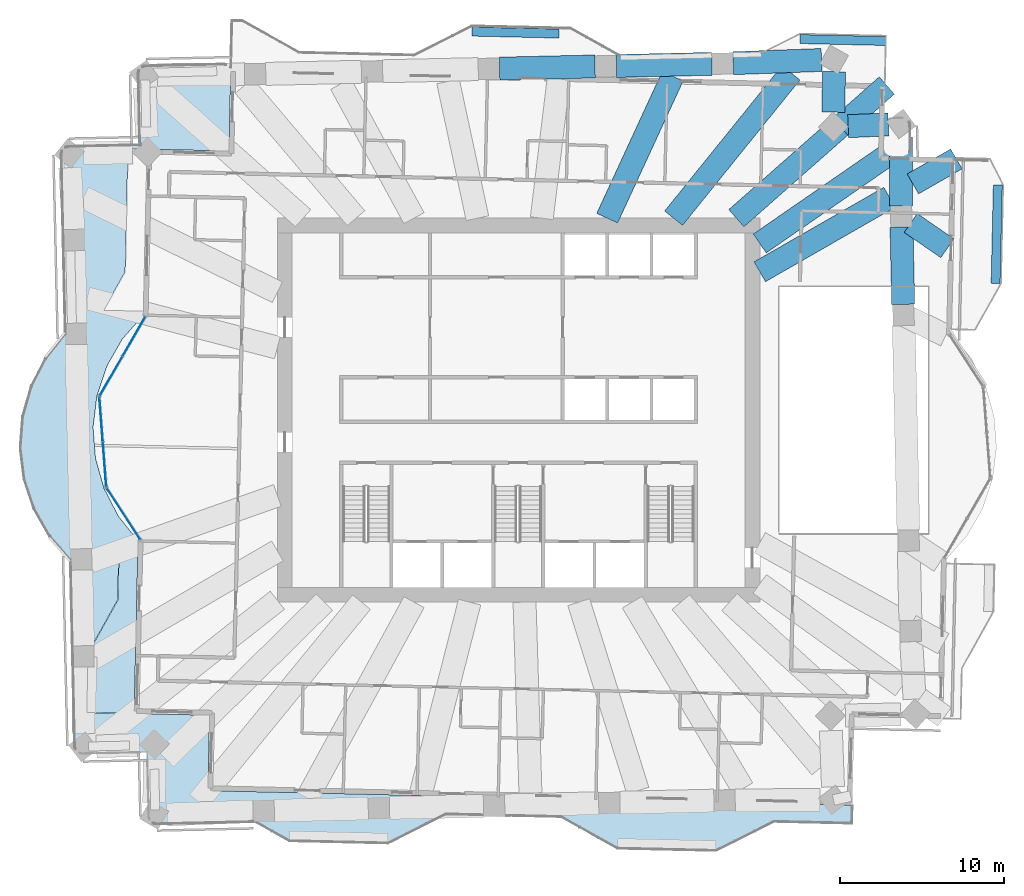
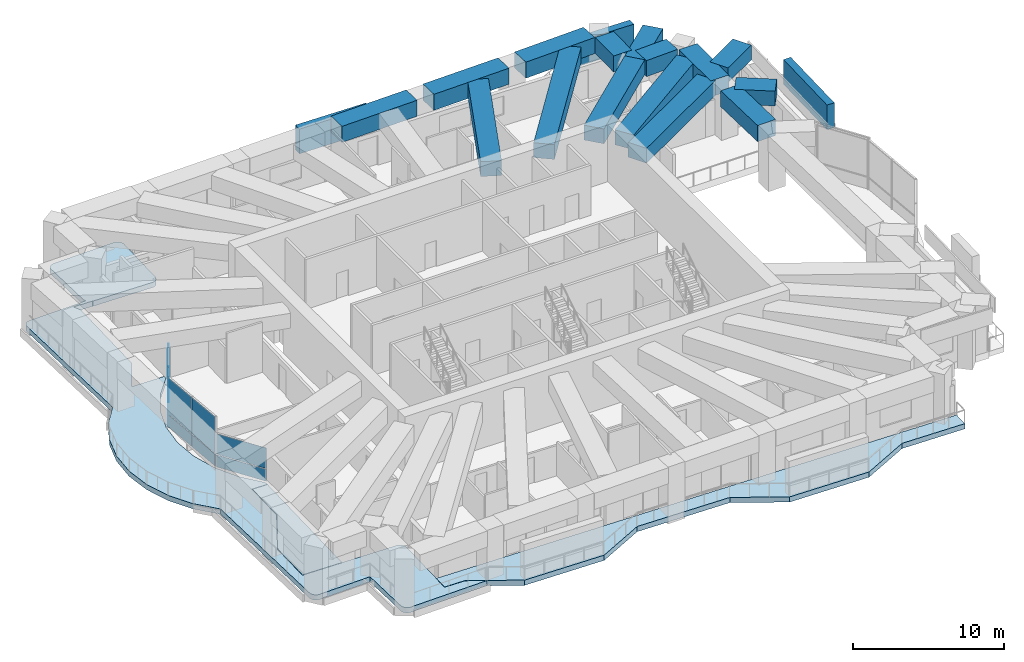
# One storey, part 6 of 17: 15 beams, 10 plates, 3 members, 3 slabs, 3 elements without a shape of their own.
"""IFC4 building model written with IfcOpenShell, lengths in metres."""

from ifc_helpers import new_model, si_unit, direction, frame, origin, origin_2d, place, context, subcontext, project, spatial, polyline, rectangle, outline, extrude, material, layer, layer_set, material_profile, profile_set, type_object, element, aggregate, save


model = new_model("IFC4")

# Units and contexts
model_context = context("Model", 3, precision=1e-05, world=origin(), true_north=direction((0.0, 1.0)))
body_context = subcontext(model_context, "Body", "Model", "MODEL_VIEW")
ifc_project = project(units=[si_unit("LENGTHUNIT", "METRE"), si_unit("AREAUNIT", "SQUARE_METRE"), si_unit("VOLUMEUNIT", "CUBIC_METRE"), si_unit("PLANEANGLEUNIT", "RADIAN"), si_unit("MASSUNIT", "GRAM", prefix="KILO")], contexts=[model_context])

# Site, building, storey
site_placement = place(None, origin())
site = spatial("IfcSite", under=ifc_project, at=site_placement, CompositionType="ELEMENT")
building_placement = place(site_placement, origin())
building = spatial("IfcBuilding", under=site, at=building_placement, Name="Mangrove Gate Tower", CompositionType="ELEMENT")
storey_placement = place(building_placement, frame((0.0, 0.0, 148.10009765625)))
storey = spatial("IfcBuildingStorey", under=building, at=storey_placement, Name="L37", CompositionType="ELEMENT", Elevation=148.10009765625)

# Members
ifc_material_1 = material(Name="Planting on aluminium trellis", Category="aluminium")
ifc_material_profile_1 = material_profile(ifc_material_1, rectangle(XDim=0.550048828125, YDim=2.0, at=origin_2d()))
ifc_profile_set_1 = profile_set([ifc_material_profile_1], Name="Planting on aluminium trellis")
member_type = type_object("IfcMemberType", Name="Balcony greenery screen 550x2000", PredefinedType="USERDEFINED", material=ifc_profile_set_1)
member_1_placement = place(storey_placement, frame((29.074951171875, 7.72900390625, 1.7998046875), z_axis=(0.022665943652, 0.999743094499, 0.0), x_axis=(-0.999743094499, 0.022665943652, 0.0)))
element("IfcMember", 1, at=member_1_placement, inside=storey, type_object=member_type, Name="GREEN SCREEN L37 E1.1", ObjectType="PLANTING", PredefinedType="USERDEFINED", context=body_context, shape_type="SweptSolid", body=[
    extrude(rectangle(XDim=0.550048828125, YDim=2.0, at=origin_2d()), origin(), (0.0, 0.0, 1.0), 5.99951171875),
])
member_2_placement = place(storey_placement, frame((17.155029296875, 22.617919921875, 1.7998046875), z_axis=(0.999742580615, -0.022688598572, 0.0), x_axis=(0.022688598572, 0.999742580615, 0.0)))
element("IfcMember", 2, at=member_2_placement, inside=storey, type_object=member_type, Name="GREEN SCREEN L37 N0.1", ObjectType="PLANTING", PredefinedType="USERDEFINED", context=body_context, shape_type="SweptSolid", body=[
    extrude(rectangle(XDim=0.550048828125, YDim=2.0, at=origin_2d()), origin(), (0.0, 0.0, 1.0), 5.240478515625),
])
member_3_placement = place(storey_placement, frame((-2.840087890625, 23.072021484375, 1.7998046875), z_axis=(0.999743189186, -0.022661766832, 0.0), x_axis=(0.022661766832, 0.999743189186, 0.0)))
element("IfcMember", 3, at=member_3_placement, inside=storey, type_object=member_type, Name="GREEN SCREEN L37 N1.1", ObjectType="PLANTING", PredefinedType="USERDEFINED", context=body_context, shape_type="SweptSolid", body=[
    extrude(rectangle(XDim=0.550048828125, YDim=2.0, at=origin_2d()), origin(), (0.0, 0.0, 1.0), 5.300537109375),
])

# Beams
ifc_material_2 = material(Name="Concrete C60/75", Category="concrete")
ifc_material_profile_2 = material_profile(ifc_material_2, rectangle(XDim=1.39990234375, YDim=1.199951171875, at=origin_2d()))
ifc_profile_set_2 = profile_set([ifc_material_profile_2], Name="Concrete C60/75")
beam_type_1 = type_object("IfcBeamType", Name="Transfer girder RC 1400x1200 C60/75", PredefinedType="BEAM", material=ifc_profile_set_2)
beam_1_placement = place(storey_placement, frame((23.9013671875, 11.40771484375, 3.449951171875), z_axis=(0.823260680813, -0.567663501933, 0.0), x_axis=(0.567663501933, 0.823260680813, 0.0)))
element("IfcBeam", 4, at=beam_1_placement, inside=storey, type_object=beam_type_1, Name="Transfer edge girder L37 16", PredefinedType="BEAM", context=body_context, shape_type="SweptSolid", body=[
    extrude(rectangle(XDim=1.39990234375, YDim=1.199951171875, at=origin_2d()), origin(), (0.0, 0.0, 1.0), 2.710693359375),
])
beam_2_placement = place(storey_placement, frame((14.699951171875, 8.435302734375, 3.449951171875), z_axis=(0.867342137955, 0.497712382534, 0.0), x_axis=(-0.497712382534, 0.867342137955, 0.0)))
element("IfcBeam", 5, at=beam_2_placement, inside=storey, type_object=beam_type_1, Name="Transfer girder L37 17", PredefinedType="BEAM", context=body_context, shape_type="SweptSolid", body=[
    extrude(rectangle(XDim=1.39990234375, YDim=1.199951171875, at=origin_2d()), origin(), (0.0, 0.0, 1.0), 9.118896484375),
])
beam_3_placement = place(storey_placement, frame((24.031494140625, 13.7900390625, 3.449951171875), z_axis=(0.867322687406, 0.497746276641, 0.0), x_axis=(-0.497746276641, 0.867322687406, 0.0)))
element("IfcBeam", 6, at=beam_3_placement, inside=storey, type_object=beam_type_1, Name="Transfer cantilever girder L37 17", PredefinedType="BEAM", context=body_context, shape_type="SweptSolid", body=[
    extrude(rectangle(XDim=1.39990234375, YDim=1.199951171875, at=origin_2d()), origin(), (0.0, 0.0, 1.0), 3.05712890625),
])
beam_4_placement = place(storey_placement, frame((14.699951171875, 10.15966796875, 3.449951171875), z_axis=(0.822653663749, 0.568542829979, 0.0), x_axis=(-0.568542829979, 0.822653663749, 0.0)))
element("IfcBeam", 7, at=beam_4_placement, inside=storey, type_object=beam_type_1, Name="Transfer girder L37 18", PredefinedType="BEAM", context=body_context, shape_type="SweptSolid", body=[
    extrude(rectangle(XDim=1.39990234375, YDim=1.199951171875, at=origin_2d()), origin(), (0.0, 0.0, 1.0), 9.612548828125),
])
beam_5_placement = place(storey_placement, frame((13.273681640625, 11.699951171875, 3.449951171875), z_axis=(0.750174302617, 0.661240134666, 0.0), x_axis=(-0.661240134666, 0.750174302617, 0.0)))
element("IfcBeam", 8, at=beam_5_placement, inside=storey, type_object=beam_type_1, Name="Transfer girder L37 19", PredefinedType="BEAM", context=body_context, shape_type="SweptSolid", body=[
    extrude(rectangle(XDim=1.39990234375, YDim=1.199951171875, at=origin_2d()), origin(), (0.0, 0.0, 1.0), 8.447021484375),
])
beam_6_placement = place(storey_placement, frame((19.6103515625, 17.285400390625, 3.449951171875), z_axis=(0.750143104524, 0.661275527096, 0.0), x_axis=(-0.661275527096, 0.750143104524, 0.0)))
element("IfcBeam", 9, at=beam_6_placement, inside=storey, type_object=beam_type_1, Name="Transfer cantilever girder L37 19", PredefinedType="BEAM", context=body_context, shape_type="SweptSolid", body=[
    extrude(rectangle(XDim=1.39990234375, YDim=1.199951171875, at=origin_2d()), origin(), (0.0, 0.0, 1.0), 3.7802734375),
])
beam_7_placement = place(storey_placement, frame((9.447998046875, 11.699951171875, 3.449951171875), z_axis=(0.628250316515, 0.778011272282, 0.0), x_axis=(-0.778011272282, 0.628250316515, 0.0)))
element("IfcBeam", 10, at=beam_7_placement, inside=storey, type_object=beam_type_1, Name="Transfer girder L37 20", PredefinedType="BEAM", context=body_context, shape_type="SweptSolid", body=[
    extrude(rectangle(XDim=1.39990234375, YDim=1.199951171875, at=origin_2d()), origin(), (0.0, 0.0, 1.0), 11.3935546875),
])
beam_8_placement = place(storey_placement, frame((5.400634765625, 11.699951171875, 3.449951171875), z_axis=(0.419108528589, 0.907936143825, 0.0), x_axis=(-0.907936143825, 0.419108528589, 0.0)))
element("IfcBeam", 11, at=beam_8_placement, inside=storey, type_object=beam_type_1, Name="Transfer girder L37 21", PredefinedType="BEAM", context=body_context, shape_type="SweptSolid", body=[
    extrude(rectangle(XDim=1.39990234375, YDim=1.199951171875, at=origin_2d()), origin(), (0.0, 0.0, 1.0), 9.53173828125),
])
ifc_material_3 = material(Name="Concrete C60/75", Category="concrete")
ifc_material_profile_3 = material_profile(ifc_material_3, rectangle(XDim=1.39990234375, YDim=1.300048828125, at=origin_2d()))
ifc_profile_set_3 = profile_set([ifc_material_profile_3], Name="Concrete C60/75")
beam_type_2 = type_object("IfcBeamType", Name="Transfer girder RC 1400x1300 C60/75", PredefinedType="BEAM", material=ifc_profile_set_3)
beam_9_placement = place(storey_placement, frame((23.444580078125, 6.446044921875, 3.39990234375), z_axis=(-0.022643720968, 0.999743598079, 0.0), x_axis=(-0.999743598079, -0.022643720968, 0.0)))
element("IfcBeam", 12, at=beam_9_placement, inside=storey, type_object=beam_type_2, Name="Transfer ring girder L37 15", PredefinedType="BEAM", context=body_context, shape_type="SweptSolid", body=[
    extrude(rectangle(XDim=1.39990234375, YDim=1.300048828125, at=origin_2d()), origin(), (0.0, 0.0, 1.0), 4.711669921875),
])
beam_10_placement = place(storey_placement, frame((23.322021484375, 12.45654296875, 3.39990234375), z_axis=(-0.001866103585, 0.999998258827, 0.0), x_axis=(-0.999998258827, -0.001866103585, 0.0)))
element("IfcBeam", 13, at=beam_10_placement, inside=storey, type_object=beam_type_2, Name="Transfer ring girder L37 16", PredefinedType="BEAM", context=body_context, shape_type="SweptSolid", body=[
    extrude(rectangle(XDim=1.39990234375, YDim=1.300048828125, at=origin_2d()), origin(), (0.0, 0.0, 1.0), 4.1865234375),
])
beam_11_placement = place(storey_placement, frame((22.531982421875, 17.41357421875, 3.39990234375), z_axis=(-0.999039321051, -0.04382276798, 0.0), x_axis=(0.04382276798, -0.999039321051, 0.0)))
element("IfcBeam", 14, at=beam_11_placement, inside=storey, type_object=beam_type_2, Name="Transfer ring girder L37 17", PredefinedType="BEAM", context=body_context, shape_type="SweptSolid", body=[
    extrude(rectangle(XDim=1.39990234375, YDim=1.300048828125, at=origin_2d()), origin(), (0.0, 0.0, 1.0), 2.44580078125),
])
beam_12_placement = place(storey_placement, frame((19.19677734375, 18.15869140625, 3.39990234375), z_axis=(0.008702202125, 0.999962135122, 0.0), x_axis=(-0.999962135122, 0.008702202125, 0.0)))
element("IfcBeam", 15, at=beam_12_placement, inside=storey, type_object=beam_type_2, Name="Transfer ring girder L37 18", PredefinedType="BEAM", context=body_context, shape_type="SweptSolid", body=[
    extrude(rectangle(XDim=1.39990234375, YDim=1.300048828125, at=origin_2d()), origin(), (0.0, 0.0, 1.0), 2.46875),
])
beam_13_placement = place(storey_placement, frame((18.464599609375, 21.34130859375, 3.39990234375), z_axis=(-0.999351539582, -0.036006948424, 0.0), x_axis=(0.036006948424, -0.999351539582, 0.0)))
element("IfcBeam", 16, at=beam_13_placement, inside=storey, type_object=beam_type_2, Name="Transfer ring girder L37 19", PredefinedType="BEAM", context=body_context, shape_type="SweptSolid", body=[
    extrude(rectangle(XDim=1.39990234375, YDim=1.300048828125, at=origin_2d()), origin(), (0.0, 0.0, 1.0), 5.383544921875),
])
for number, where, z_axis, x_axis, name in (
    (17, (11.784912109375, 21.109375, 3.39990234375), (-0.999741835545, -0.022721405353, 0.0), (0.022721405353, -0.999741835545, 0.0), "Transfer ring girder L37 20"),
    (18, (4.662841796875, 20.947509765625, 3.39990234375), (-0.999744684453, -0.022595705507, 0.0), (0.022595705507, -0.999744684453, 0.0), "Transfer ring girder L37 21"),
):
    element("IfcBeam", number, at=place(storey_placement, frame(where, z_axis=z_axis, x_axis=x_axis)), inside=storey, type_object=beam_type_2, Name=name, PredefinedType="BEAM", context=body_context, shape_type="SweptSolid", body=[
        extrude(rectangle(XDim=1.39990234375, YDim=1.300048828125, at=origin_2d()), origin(), (0.0, 0.0, 1.0), 5.82373046875),
    ])

# Slabs
ifc_material_4 = material(Name="Porcelain tile")
ifc_layer_1 = layer(ifc_material_4, 0.02001953125, Name="Tile finish")
ifc_material_5 = material(Name="Cement sand screed")
ifc_layer_2 = layer(ifc_material_5, 0.0400390625, Name="Screed laid to falls")
ifc_material_6 = material(Name="Bituminous waterproofing membrane")
ifc_layer_3 = layer(ifc_material_6, 0.00390625, Name="Waterproofing")
ifc_material_7 = material(Name="Concrete C40/50", Category="concrete")
ifc_layer_4 = layer(ifc_material_7, 0.340087890625, Name="Balcony structural slab")
ifc_material_8 = material(Name="Limestone", Category="masonry")
ifc_layer_5 = layer(ifc_material_8, 0.01611328125, Name="Soffit lining")
ifc_layer_set_1 = layer_set([ifc_layer_1, ifc_layer_2, ifc_layer_3, ifc_layer_4, ifc_layer_5], Name="Balcony slab 420 C40/50")
slab_type_1 = type_object("IfcSlabType", Name="Balcony slab 420 C40/50", PredefinedType="FLOOR", material=ifc_layer_set_1)
slab_1_placement = place(storey_placement, frame((0.0, 0.0, -0.420166015625)))
element("IfcSlab", 19, at=slab_1_placement, inside=storey, type_object=slab_type_1, Name="BALCONY L37 W1", PredefinedType="FLOOR", context=body_context, shape_type="SweptSolid", body=[
    extrude(outline(polyline([(-24.3349609375, -8.18896484375), (-24.412109375, -11.56201171875), (-26.341064453125, -15.02001953125), (-26.41796875, -18.4189453125), (-23.427978515625, -18.487060546875), (-23.35107421875, -15.0869140625), (-23.27197265625, -11.587890625), (-23.195068359375, -8.214111328125), (-24.3349609375, -8.18896484375)])), origin(), (0.0, 0.0, 1.0), 0.420166015625),
])
slab_2_placement = place(storey_placement, frame((0.0, 0.0, -0.420166015625)))
element("IfcSlab", 20, at=slab_2_placement, inside=storey, type_object=slab_type_1, Name="BALCONY L37 S0", PredefinedType="FLOOR", context=body_context, shape_type="SweptSolid", body=[
    extrude(outline(polyline([(-18.9599609375, -24.3291015625), (-17.419921875, -24.364013671875), (-13.962890625, -26.29296875), (-7.965087890625, -26.428955078125), (-4.424072265625, -24.658935546875), (2.574951171875, -24.818115234375), (6.031982421875, -26.7470703125), (12.030029296875, -26.883056640625), (15.571044921875, -25.114013671875), (20.31005859375, -25.220947265625), (20.3359375, -24.0810546875), (2.60009765625, -23.677978515625), (-4.39794921875, -23.52001953125), (-18.93408203125, -23.18994140625), (-18.9599609375, -24.3291015625)])), origin(), (0.0, 0.0, 1.0), 0.420166015625),
])

# Curtain wall, plates
ifc_material_9 = material(Name="Aluminium and glass curtain wall", Category="aluminium")
curtain_wall_type = type_object("IfcCurtainWallType", Name="Sky-lounge glazing wall", PredefinedType="NOTDEFINED", material=ifc_material_9)
curtain_wall_1_placement = place(storey_placement, origin())
curtain_wall_1 = element("IfcCurtainWall", 21, at=curtain_wall_1_placement, inside=storey, type_object=curtain_wall_type, Name="Sky-lounge glazing W9f1", PredefinedType="NOTDEFINED")
ifc_material_10 = material(Name="Laminated low-e glass", Category="glass")
ifc_layer_6 = layer(ifc_material_10, 0.030029296875)
ifc_layer_set_2 = layer_set([ifc_layer_6], Name="Sky-lounge glazing panel 30")
plate_type = type_object("IfcPlateType", Name="Sky-lounge glazing panel 30", PredefinedType="CURTAIN_PANEL", material=ifc_layer_set_2)
plate_1_placement = place(storey_placement, frame((-23.4423828125, 4.490478515625, 0.0), z_axis=(0.0, 0.0, 1.0), x_axis=(-0.500418160284, -0.865783844189, 0.0)))
plate_1 = element("IfcPlate", 22, at=plate_1_placement, type_object=plate_type, Name="CWK panel 1.1", PredefinedType="CURTAIN_PANEL", context=body_context, shape_type="SweptSolid", body=[
    extrude(rectangle(XDim=2.73095703125, YDim=0.030029296875, at=origin_2d()), origin(), (0.0, 0.0, 1.0), 0.969970703125),
])
plate_2_placement = place(storey_placement, frame((-23.4423828125, 4.490478515625, 1.02978515625), z_axis=(0.0, 0.0, 1.0), x_axis=(-0.500418160284, -0.865783844189, 0.0)))
plate_2 = element("IfcPlate", 23, at=plate_2_placement, type_object=plate_type, Name="CWK panel 1.2", PredefinedType="CURTAIN_PANEL", context=body_context, shape_type="SweptSolid", body=[
    extrude(rectangle(XDim=2.73095703125, YDim=0.030029296875, at=origin_2d()), origin(), (0.0, 0.0, 1.0), 1.760009765625),
])
plate_3_placement = place(storey_placement, frame((-24.8388671875, 2.07421875, 0.0), z_axis=(0.0, 0.0, 1.0), x_axis=(-0.500418160284, -0.865783844189, 0.0)))
plate_3 = element("IfcPlate", 24, at=plate_3_placement, type_object=plate_type, Name="CWK panel 2.1", PredefinedType="CURTAIN_PANEL", context=body_context, shape_type="SweptSolid", body=[
    extrude(rectangle(XDim=2.73095703125, YDim=0.030029296875, at=origin_2d()), origin(), (0.0, 0.0, 1.0), 0.969970703125),
])
plate_4_placement = place(storey_placement, frame((-24.8388671875, 2.07421875, 1.02978515625), z_axis=(0.0, 0.0, 1.0), x_axis=(-0.500418160284, -0.865783844189, 0.0)))
plate_4 = element("IfcPlate", 25, at=plate_4_placement, type_object=plate_type, Name="CWK panel 2.2", PredefinedType="CURTAIN_PANEL", context=body_context, shape_type="SweptSolid", body=[
    extrude(rectangle(XDim=2.73095703125, YDim=0.030029296875, at=origin_2d()), origin(), (0.0, 0.0, 1.0), 1.760009765625),
])
aggregate(curtain_wall_1, [plate_1, plate_2, plate_3, plate_4])

curtain_wall_2_placement = place(storey_placement, origin())
curtain_wall_2 = element("IfcCurtainWall", 26, at=curtain_wall_2_placement, inside=storey, type_object=curtain_wall_type, Name="Sky-lounge glazing W9f2", PredefinedType="NOTDEFINED")
plate_5_placement = place(storey_placement, frame((-25.443603515625, -0.564208984375, 0.0), z_axis=(0.0, 0.0, 1.0), x_axis=(0.077023348403, -0.997029289339, 0.0)))
plate_5 = element("IfcPlate", 27, at=plate_5_placement, type_object=plate_type, Name="CWK panel 1.1", PredefinedType="CURTAIN_PANEL", context=body_context, shape_type="SweptSolid", body=[
    extrude(rectangle(XDim=2.69677734375, YDim=0.030029296875, at=origin_2d()), origin(), (0.0, 0.0, 1.0), 0.969970703125),
])
plate_6_placement = place(storey_placement, frame((-25.443603515625, -0.564208984375, 1.030029296875), z_axis=(0.0, 0.0, 1.0), x_axis=(0.077023348403, -0.997029289339, 0.0)))
plate_6 = element("IfcPlate", 28, at=plate_6_placement, type_object=plate_type, Name="CWK panel 1.2", PredefinedType="CURTAIN_PANEL", context=body_context, shape_type="SweptSolid", body=[
    extrude(rectangle(XDim=2.69677734375, YDim=0.030029296875, at=origin_2d()), origin(), (0.0, 0.0, 1.0), 2.9599609375),
])
plate_7_placement = place(storey_placement, frame((-25.2314453125, -3.312744140625, 0.0), z_axis=(0.0, 0.0, 1.0), x_axis=(0.077023348403, -0.997029289339, 0.0)))
plate_7 = element("IfcPlate", 29, at=plate_7_placement, type_object=plate_type, Name="CWK panel 2.1", PredefinedType="CURTAIN_PANEL", context=body_context, shape_type="SweptSolid", body=[
    extrude(rectangle(XDim=2.69677734375, YDim=0.030029296875, at=origin_2d()), origin(), (0.0, 0.0, 1.0), 0.969970703125),
])
plate_8_placement = place(storey_placement, frame((-25.2314453125, -3.312744140625, 1.030029296875), z_axis=(0.0, 0.0, 1.0), x_axis=(0.077023348403, -0.997029289339, 0.0)))
plate_8 = element("IfcPlate", 30, at=plate_8_placement, type_object=plate_type, Name="CWK panel 2.2", PredefinedType="CURTAIN_PANEL", context=body_context, shape_type="SweptSolid", body=[
    extrude(rectangle(XDim=2.69677734375, YDim=0.030029296875, at=origin_2d()), origin(), (0.0, 0.0, 1.0), 2.9599609375),
])
aggregate(curtain_wall_2, [plate_5, plate_6, plate_7, plate_8])

curtain_wall_3_placement = place(storey_placement, origin())
curtain_wall_3 = element("IfcCurtainWall", 31, at=curtain_wall_3_placement, inside=storey, type_object=curtain_wall_type, Name="Sky-lounge glazing W9f3", PredefinedType="NOTDEFINED")
plate_9_placement = place(storey_placement, frame((-24.08056640625, -6.315185546875, 0.0), z_axis=(0.0, 0.0, 1.0), x_axis=(0.546235085045, -0.837631919083, 0.0)))
plate_9 = element("IfcPlate", 32, at=plate_9_placement, type_object=plate_type, Name="CWK panel 1.1", PredefinedType="CURTAIN_PANEL", context=body_context, shape_type="SweptSolid", body=[
    extrude(rectangle(XDim=3.696044921875, YDim=0.030029296875, at=origin_2d()), origin(), (0.0, 0.0, 1.0), 0.969970703125),
])
plate_10_placement = place(storey_placement, frame((-24.08056640625, -6.315185546875, 1.02978515625), z_axis=(0.0, 0.0, 1.0), x_axis=(0.546235085045, -0.837631919083, 0.0)))
plate_10 = element("IfcPlate", 33, at=plate_10_placement, type_object=plate_type, Name="CWK panel 1.2", PredefinedType="CURTAIN_PANEL", context=body_context, shape_type="SweptSolid", body=[
    extrude(rectangle(XDim=3.696044921875, YDim=0.030029296875, at=origin_2d()), origin(), (0.0, 0.0, 1.0), 1.659912109375),
])
aggregate(curtain_wall_3, [plate_9, plate_10])

# Slab
ifc_material_11 = material(Name="Granite", Category="masonry")
ifc_layer_7 = layer(ifc_material_11, 0.030029296875, Name="Granite paving")
ifc_layer_8 = layer(ifc_material_5, 0.0400390625, Name="Bedding screed")
ifc_layer_9 = layer(ifc_material_6, 0.0048828125, Name="Waterproofing")
ifc_material_12 = material(Name="Extruded polystyrene insulation")
ifc_layer_10 = layer(ifc_material_12, 0.0400390625, Name="Insulation")
ifc_layer_11 = layer(ifc_material_7, 0.304931640625, Name="Terrace structural slab")
ifc_layer_set_3 = layer_set([ifc_layer_7, ifc_layer_8, ifc_layer_9, ifc_layer_10, ifc_layer_11], Name="Terrace slab C40/50")
slab_type_2 = type_object("IfcSlabType", Name="Terrace slab C40/50", PredefinedType="FLOOR", material=ifc_layer_set_3)
slab_3_placement = place(storey_placement, frame((0.0, 0.0, -0.420166015625)))
element("IfcSlab", 34, at=slab_3_placement, inside=storey, type_object=slab_type_2, Name="TERRACE L37 3", PredefinedType="FLOOR", context=body_context, shape_type="SweptSolid", body=[
    extrude(outline(polyline([(-27.6220703125, 4.636962890625), (-27.62890625, 4.626953125), (-28.787109375, 3.18310546875), (-28.81591796875, 3.14306640625), (-28.841064453125, 3.10009765625), (-29.672119140625, 1.489013671875), (-29.69189453125, 1.443115234375), (-29.7080078125, 1.39599609375), (-30.2041015625, -0.347900390625), (-30.215087890625, -0.39599609375), (-30.220947265625, -0.446044921875), (-30.361083984375, -2.2529296875), (-30.362060546875, -2.302978515625), (-30.35791015625, -2.35205078125), (-30.136962890625, -4.152099609375), (-30.1279296875, -4.200927734375), (-30.114990234375, -4.2490234375), (-29.541015625, -5.968017578125), (-29.52294921875, -6.014892578125), (-29.5009765625, -6.05908203125), (-28.596923828125, -7.631103515625), (-28.570068359375, -7.673095703125), (-28.5390625, -7.7119140625), (-27.318115234375, -9.10107421875), (-27.31005859375, -9.111083984375), (-27.30908203125, -9.123046875), (-27.052001953125, -20.431884765625), (-27.049072265625, -20.48095703125), (-27.041015625, -20.530029296875), (-27.028076171875, -20.576904296875), (-27.010009765625, -20.623046875), (-26.988037109375, -20.6669921875), (-26.9619140625, -20.7080078125), (-26.931884765625, -20.7470703125), (-26.89794921875, -20.781982421875), (-26.861083984375, -20.81494140625), (-26.821044921875, -20.843017578125), (-26.778076171875, -20.866943359375), (-26.73291015625, -20.886962890625), (-26.68701171875, -20.903076171875), (-26.638916015625, -20.9130859375), (-26.590087890625, -20.919921875), (-26.541015625, -20.9208984375), (-22.654052734375, -20.8330078125), (-22.64306640625, -20.8330078125), (-22.64208984375, -20.844970703125), (-22.553955078125, -24.73095703125), (-22.550048828125, -24.780029296875), (-22.5419921875, -24.8291015625), (-22.529052734375, -24.8759765625), (-22.510986328125, -24.922119140625), (-22.489013671875, -24.966064453125), (-22.462890625, -25.007080078125), (-22.43310546875, -25.0458984375), (-22.39892578125, -25.0810546875), (-22.362060546875, -25.114013671875), (-22.322021484375, -25.14208984375), (-22.280029296875, -25.166015625), (-22.235107421875, -25.18603515625), (-22.18798828125, -25.201904296875), (-22.139892578125, -25.2119140625), (-22.092041015625, -25.218994140625), (-22.04296875, -25.219970703125), (-16.166015625, -25.0869140625), (-17.425048828125, -24.384033203125), (-18.9599609375, -24.34912109375), (-18.9619140625, -24.34912109375), (-18.964111328125, -24.34912109375), (-18.966064453125, -24.347900390625), (-18.968017578125, -24.346923828125), (-18.969970703125, -24.345947265625), (-18.970947265625, -24.344970703125), (-18.972900390625, -24.343994140625), (-18.97412109375, -24.343017578125), (-18.97607421875, -24.341064453125), (-18.97705078125, -24.340087890625), (-18.97802734375, -24.337890625), (-18.97900390625, -24.3359375), (-18.97900390625, -24.333984375), (-18.97998046875, -24.33203125), (-18.97998046875, -24.3310546875), (-18.97998046875, -24.3291015625), (-18.9541015625, -23.18994140625), (-18.9541015625, -23.18798828125), (-18.9541015625, -23.18603515625), (-18.952880859375, -23.18408203125), (-18.951904296875, -23.181884765625), (-18.950927734375, -23.179931640625), (-18.949951171875, -23.178955078125), (-18.948974609375, -23.177001953125), (-18.947998046875, -23.176025390625), (-18.946044921875, -23.174072265625), (-18.945068359375, -23.173095703125), (-18.943115234375, -23.172119140625), (-18.94091796875, -23.1708984375), (-18.93896484375, -23.1708984375), (-18.93701171875, -23.169921875), (-18.93603515625, -23.169921875), (-18.93408203125, -23.169921875), (-18.93408203125, -23.169921875), (-18.841064453125, -19.091064453125), (-18.842041015625, -19.0419921875), (-18.847900390625, -18.992919921875), (-18.85888671875, -18.945068359375), (-18.875, -18.89892578125), (-18.89501953125, -18.85400390625), (-18.9189453125, -18.81103515625), (-18.947021484375, -18.77099609375), (-18.97900390625, -18.73388671875), (-19.014892578125, -18.699951171875), (-19.053955078125, -18.669921875), (-19.094970703125, -18.64404296875), (-19.138916015625, -18.6220703125), (-19.18505859375, -18.60400390625), (-19.23193359375, -18.591064453125), (-19.281005859375, -18.5830078125), (-19.3291015625, -18.580078125), (-23.407958984375, -18.487060546875), (-23.407958984375, -18.487060546875), (-23.407958984375, -18.489013671875), (-23.407958984375, -18.490966796875), (-23.408935546875, -18.492919921875), (-23.409912109375, -18.4951171875), (-23.410888671875, -18.4970703125), (-23.412109375, -18.498046875), (-23.4130859375, -18.5), (-23.4140625, -18.5009765625), (-23.416015625, -18.5029296875), (-23.4169921875, -18.50390625), (-23.4189453125, -18.5048828125), (-23.4208984375, -18.506103515625), (-23.423095703125, -18.506103515625), (-23.425048828125, -18.507080078125), (-23.426025390625, -18.507080078125), (-23.427978515625, -18.507080078125), (-26.41796875, -18.43896484375), (-26.419921875, -18.43896484375), (-26.422119140625, -18.43896484375), (-26.424072265625, -18.43798828125), (-26.426025390625, -18.43701171875), (-26.427978515625, -18.43603515625), (-26.428955078125, -18.43505859375), (-26.430908203125, -18.43408203125), (-26.431884765625, -18.43310546875), (-26.43408203125, -18.430908203125), (-26.43505859375, -18.429931640625), (-26.43603515625, -18.427978515625), (-26.43701171875, -18.426025390625), (-26.43701171875, -18.424072265625), (-26.43798828125, -18.422119140625), (-26.43798828125, -18.4208984375), (-26.43798828125, -18.4189453125), (-26.361083984375, -15.02001953125), (-26.361083984375, -15.01806640625), (-26.361083984375, -15.01611328125), (-26.360107421875, -15.013916015625), (-26.35888671875, -15.011962890625), (-26.35791015625, -15.010009765625), (-24.431884765625, -11.556884765625), (-24.35498046875, -8.18896484375), (-24.35498046875, -8.18701171875), (-24.35498046875, -8.18505859375), (-24.35400390625, -8.18310546875), (-24.35302734375, -8.180908203125), (-24.35205078125, -8.178955078125), (-24.35107421875, -8.177978515625), (-24.35009765625, -8.176025390625), (-24.34912109375, -8.175048828125), (-24.346923828125, -8.173095703125), (-24.345947265625, -8.172119140625), (-24.343994140625, -8.1708984375), (-24.342041015625, -8.169921875), (-24.340087890625, -8.169921875), (-24.337890625, -8.1689453125), (-24.3369140625, -8.1689453125), (-24.3349609375, -8.1689453125), (-23.195068359375, -8.194091796875), (-23.194091796875, -8.14697265625), (-23.195068359375, -8.096923828125), (-23.200927734375, -8.047119140625), (-23.212890625, -7.9990234375), (-23.22900390625, -7.950927734375), (-23.2490234375, -7.906005859375), (-23.27392578125, -7.863037109375), (-23.303955078125, -7.822021484375), (-24.3779296875, -6.48193359375), (-24.385986328125, -6.471923828125), (-24.39208984375, -6.4609375), (-25.257080078125, -4.782958984375), (-25.262939453125, -4.77197265625), (-25.26611328125, -4.760009765625), (-25.781982421875, -2.944091796875), (-25.784912109375, -2.931884765625), (-25.787109375, -2.919921875), (-25.931884765625, -1.0380859375), (-25.931884765625, -1.02490234375), (-25.930908203125, -1.012939453125), (-25.700927734375, 0.861083984375), (-25.698974609375, 0.873046875), (-25.695068359375, 0.885009765625), (-25.097900390625, 2.676025390625), (-25.093017578125, 2.68701171875), (-25.087890625, 2.697998046875), (-24.14697265625, 4.3349609375), (-24.139892578125, 4.345947265625), (-24.132080078125, 4.35498046875), (-22.998046875, 5.64599609375), (-22.967041015625, 5.68505859375), (-22.93994140625, 5.72705078125), (-22.9169921875, 5.77099609375), (-22.89892578125, 5.818115234375), (-22.885986328125, 5.865966796875), (-22.876953125, 5.9150390625), (-22.8740234375, 5.965087890625), (-22.8720703125, 6.012939453125), (-22.8720703125, 6.012939453125), (-25.26708984375, 6.06689453125), (-25.26904296875, 6.06689453125), (-25.27099609375, 6.06689453125), (-25.27294921875, 6.068115234375), (-25.27490234375, 6.069091796875), (-25.277099609375, 6.070068359375), (-25.278076171875, 6.071044921875), (-25.280029296875, 6.072021484375), (-25.281005859375, 6.072998046875), (-25.282958984375, 6.074951171875), (-25.283935546875, 6.075927734375), (-25.284912109375, 6.077880859375), (-25.285888671875, 6.080078125), (-25.285888671875, 6.08203125), (-25.287109375, 6.0830078125), (-25.287109375, 6.0849609375), (-25.287109375, 6.0869140625), (-25.287109375, 6.089111328125), (-25.287109375, 6.091064453125), (-25.285888671875, 6.093017578125), (-25.284912109375, 6.094970703125), (-25.283935546875, 6.096923828125), (-23.97802734375, 8.43701171875), (-23.819091796875, 15.426025390625), (-24.070068359375, 15.927001953125), (-24.071044921875, 15.928955078125), (-24.071044921875, 15.930908203125), (-24.072021484375, 15.93310546875), (-24.072021484375, 15.93505859375), (-24.072021484375, 15.93701171875), (-24.072021484375, 15.93798828125), (-24.072021484375, 15.93994140625), (-24.071044921875, 15.94189453125), (-24.070068359375, 15.944091796875), (-24.069091796875, 15.946044921875), (-24.068115234375, 15.947998046875), (-24.06689453125, 15.948974609375), (-24.06591796875, 15.949951171875), (-24.06396484375, 15.951904296875), (-24.06298828125, 15.952880859375), (-24.06103515625, 15.9541015625), (-24.05908203125, 15.955078125), (-24.056884765625, 15.955078125), (-24.054931640625, 15.9560546875), (-24.053955078125, 15.9560546875), (-24.052001953125, 15.9560546875), (-22.64794921875, 15.925048828125), (-22.64599609375, 15.925048828125), (-22.64404296875, 15.925048828125), (-22.64208984375, 15.924072265625), (-22.639892578125, 15.923095703125), (-22.637939453125, 15.922119140625), (-22.636962890625, 15.9208984375), (-22.635009765625, 15.919921875), (-22.634033203125, 15.9189453125), (-22.632080078125, 15.9169921875), (-22.631103515625, 15.916015625), (-22.6298828125, 15.9140625), (-22.62890625, 15.912109375), (-22.62890625, 15.909912109375), (-22.6279296875, 15.907958984375), (-22.6279296875, 15.906982421875), (-22.6279296875, 15.906005859375), (-22.597900390625, 15.904052734375), (-18.14892578125, 15.802978515625), (-18.10009765625, 15.803955078125), (-18.051025390625, 15.81005859375), (-18.00390625, 15.821044921875), (-17.95703125, 15.8359375), (-17.912109375, 15.85595703125), (-17.8701171875, 15.8798828125), (-17.8291015625, 15.908935546875), (-17.7919921875, 15.94091796875), (-17.759033203125, 15.97705078125), (-17.72802734375, 16.014892578125), (-17.701904296875, 16.056884765625), (-17.679931640625, 16.10107421875), (-17.6630859375, 16.14599609375), (-17.64990234375, 16.194091796875), (-17.64111328125, 16.241943359375), (-17.637939453125, 16.291015625), (-17.541015625, 20.571044921875), (-17.5419921875, 20.6220703125), (-17.549072265625, 20.672119140625), (-17.56005859375, 20.720947265625), (-17.576904296875, 20.76904296875), (-17.597900390625, 20.81494140625), (-17.623046875, 20.85791015625), (-17.653076171875, 20.89892578125), (-17.68701171875, 20.93603515625), (-17.72509765625, 20.969970703125), (-17.764892578125, 21.0), (-17.80908203125, 21.02587890625), (-17.85498046875, 21.047119140625), (-17.902099609375, 21.06298828125), (-17.950927734375, 21.074951171875), (-18.001953125, 21.0810546875), (-18.052001953125, 21.0830078125), (-22.69091796875, 20.97705078125), (-22.739990234375, 20.97412109375), (-22.7880859375, 20.966064453125), (-22.8349609375, 20.952880859375), (-22.881103515625, 20.93505859375), (-22.925048828125, 20.9130859375), (-22.967041015625, 20.886962890625), (-23.0048828125, 20.85693359375), (-23.041015625, 20.822998046875), (-23.072998046875, 20.785888671875), (-23.10107421875, 20.74609375), (-23.1259765625, 20.702880859375), (-23.14599609375, 20.657958984375), (-23.160888671875, 20.612060546875), (-23.172119140625, 20.56396484375), (-23.177978515625, 20.514892578125), (-23.178955078125, 20.466064453125), (-23.0869140625, 16.39208984375), (-23.083984375, 16.344970703125), (-23.075927734375, 16.298095703125), (-23.06298828125, 16.2509765625), (-23.047119140625, 16.20703125), (-23.02587890625, 16.1640625), (-23.014892578125, 16.14599609375), (-23.014892578125, 16.14599609375), (-23.06396484375, 16.156982421875), (-23.114013671875, 16.1640625), (-23.1650390625, 16.1650390625), (-27.381103515625, 16.070068359375), (-27.429931640625, 16.06591796875), (-27.47802734375, 16.05810546875), (-27.52490234375, 16.044921875), (-27.571044921875, 16.027099609375), (-27.614990234375, 16.0048828125), (-27.656005859375, 15.97900390625), (-27.695068359375, 15.948974609375), (-27.73095703125, 15.9150390625), (-27.762939453125, 15.8779296875), (-27.791015625, 15.837890625), (-27.81494140625, 15.794921875), (-27.8349609375, 15.7509765625), (-27.85107421875, 15.7041015625), (-27.862060546875, 15.656005859375), (-27.867919921875, 15.60791015625), (-27.868896484375, 15.55810546875), (-27.6220703125, 4.64892578125), (-27.6220703125, 4.636962890625)])), origin(), (0.0, 0.0, 1.0), 0.420166015625),
])

save(model, "model.ifc")
